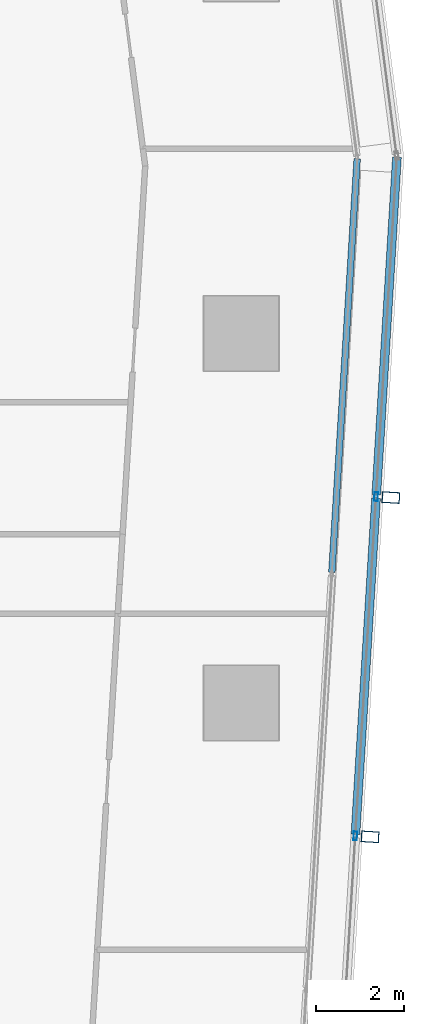
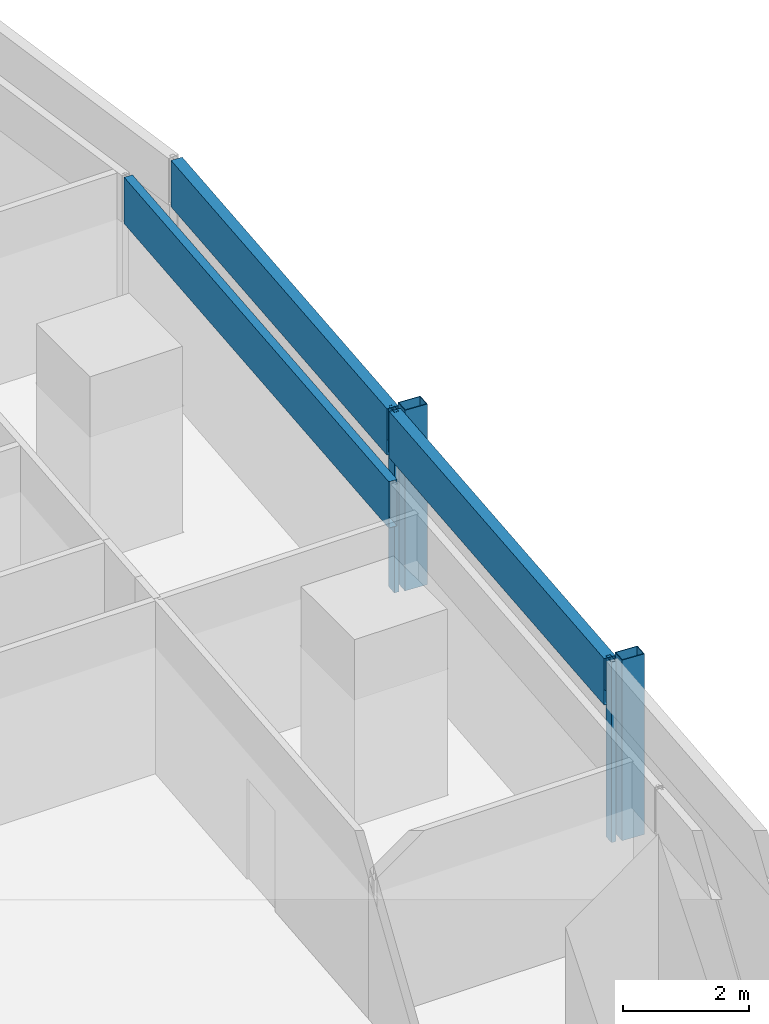
# One storey, part 23 of 38: 7 members, 2 elements without a shape of their own.
"""IFC4 building model written with IfcOpenShell, lengths in metres."""

from ifc_helpers import new_model, si_unit, direction, frame, origin, origin_2d, place, context, subcontext, project, spatial, hollow_rectangle, extrude, material, material_profile, profile_set, type_object, element, aggregate, save


model = new_model("IFC4")

# Units and contexts
model_context = context("Model", 3, precision=1e-05, world=origin(), true_north=direction((0.0, 1.0)))
body_context = subcontext(model_context, "Body", "Model", "MODEL_VIEW")
ifc_project = project(units=[si_unit("LENGTHUNIT", "METRE"), si_unit("AREAUNIT", "SQUARE_METRE"), si_unit("VOLUMEUNIT", "CUBIC_METRE"), si_unit("PLANEANGLEUNIT", "RADIAN"), si_unit("MASSUNIT", "GRAM", prefix="KILO")], contexts=[model_context])

# Site, building, storey
site_placement = place(None, origin())
site = spatial("IfcSite", under=ifc_project, at=site_placement, CompositionType="ELEMENT")
building_placement = place(site_placement, origin())
building = spatial("IfcBuilding", under=site, at=building_placement, Name="Rekha Terrace Tower", CompositionType="ELEMENT")
storey_placement = place(building_placement, frame((0.0, 0.0, 114.050048828125)))
storey = spatial("IfcBuildingStorey", under=building, at=storey_placement, Name="L28", CompositionType="ELEMENT", Elevation=114.050048828125)

# Curtain wall, members
ifc_material_1 = material(Name="Aluminium framing", Category="aluminium")
curtain_wall_type_1 = type_object("IfcCurtainWallType", Name="CW2 double skin outer glazing", PredefinedType="USERDEFINED", material=ifc_material_1)
curtain_wall_1_placement = place(storey_placement, origin())
curtain_wall_1 = element("IfcCurtainWall", 1, at=curtain_wall_1_placement, inside=storey, type_object=curtain_wall_type_1, Name="CW2 double skin outer glazing", ObjectType="DOUBLE SKIN OUTER GLAZING", PredefinedType="USERDEFINED")
ifc_material_2 = material(Name="Steel S355 with fluorocarbon finish", Category="steel")
ifc_material_profile_1 = material_profile(ifc_material_2, hollow_rectangle(XDim=0.25, YDim=0.39990234375, WallThickness=0.012451171875, at=origin_2d()), Name="RHS400x250x12.5")
ifc_profile_set_1 = profile_set([ifc_material_profile_1], Name="Steel S355 with fluorocarbon finish")
member_type_1 = type_object("IfcMemberType", Name="BL1 facade blade RHS 400 x 250", PredefinedType="USERDEFINED", material=ifc_profile_set_1)
member_1_placement = place(storey_placement, frame((70.128662109375, 30.557861328125, 0.0), z_axis=(0.0, 0.0, 1.0), x_axis=(0.061160031881, 0.998127973008, 0.0)))
member_1 = element("IfcMember", 2, at=member_1_placement, type_object=member_type_1, Name="Facade blade", ObjectType="FACADE BLADE", PredefinedType="USERDEFINED", context=body_context, shape_type="SweptSolid", body=[
    extrude(hollow_rectangle(XDim=0.25, YDim=0.39990234375, WallThickness=0.012451171875, at=origin_2d()), origin(), (0.0, 0.0, 1.0), 3.5),
])
member_2_placement = place(storey_placement, frame((70.601318359375, 38.27001953125, 0.0), z_axis=(0.0, 0.0, 1.0), x_axis=(0.061160031881, 0.998127973008, 0.0)))
member_2 = element("IfcMember", 3, at=member_2_placement, type_object=member_type_1, Name="Facade blade", ObjectType="FACADE BLADE", PredefinedType="USERDEFINED", context=body_context, shape_type="SweptSolid", body=[
    extrude(hollow_rectangle(XDim=0.25, YDim=0.39990234375, WallThickness=0.012451171875, at=origin_2d()), origin(), (0.0, 0.0, 1.0), 3.5),
])

# Curtain wall, member
curtain_wall_type_2 = type_object("IfcCurtainWallType", Name="CW1 double skin inner glazing", PredefinedType="USERDEFINED", material=ifc_material_1)
curtain_wall_2_placement = place(storey_placement, origin())
curtain_wall_2 = element("IfcCurtainWall", 4, at=curtain_wall_2_placement, inside=storey, type_object=curtain_wall_type_2, Name="CW1 double skin inner glazing", ObjectType="DOUBLE SKIN INNER GLAZING", PredefinedType="USERDEFINED")
ifc_material_3 = material(Name="Insulated aluminium spandrel box", Category="aluminium")
ifc_material_profile_2 = material_profile(ifc_material_3, hollow_rectangle(XDim=0.14990234375, YDim=0.89990234375, WallThickness=0.0029296875, at=origin_2d()), Name="AL SPANDREL BOX 150x900")
ifc_profile_set_2 = profile_set([ifc_material_profile_2], Name="Insulated aluminium spandrel box")
member_type_2 = type_object("IfcMemberType", Name="CW1 spandrel transom 150 x 900", PredefinedType="USERDEFINED", material=ifc_profile_set_2)
member_3_placement = place(storey_placement, frame((69.259765625, 36.569091796875, 3.050048828125), z_axis=(0.061137463969, 0.998129355594, 0.0), x_axis=(-0.998129355594, 0.061137463969, 0.0)))
member_3 = element("IfcMember", 5, at=member_3_placement, type_object=member_type_2, Name="CW1 spandrel transom 3", ObjectType="TRANSOM", PredefinedType="USERDEFINED", context=body_context, shape_type="SweptSolid", body=[
    extrude(hollow_rectangle(XDim=0.14990234375, YDim=0.89990234375, WallThickness=0.0029296875, at=origin_2d()), origin(), (0.0, 0.0, 1.0), 9.420166015625),
])
aggregate(curtain_wall_2, [member_3])

# Member
ifc_material_4 = material(Name="Aluminium mullion section", Category="aluminium")
ifc_material_profile_3 = material_profile(ifc_material_4, hollow_rectangle(XDim=0.080078125, YDim=0.199951171875, WallThickness=0.00390625, at=origin_2d()), Name="AL RHS 80x200")
ifc_profile_set_3 = profile_set([ifc_material_profile_3], Name="Aluminium mullion section")
member_type_3 = type_object("IfcMemberType", Name="CW2 mullion RHS 80 x 200", PredefinedType="MULLION", material=ifc_profile_set_3)
member_4_placement = place(storey_placement, frame((69.794189453125, 30.578369140625, 0.0), z_axis=(0.0, 0.0, 1.0), x_axis=(-0.998127987024, 0.061159803131, 0.0)))
member_4 = element("IfcMember", 6, at=member_4_placement, type_object=member_type_3, Name="CW2 mullion 3", PredefinedType="MULLION", context=body_context, shape_type="SweptSolid", body=[
    extrude(hollow_rectangle(XDim=0.080078125, YDim=0.199951171875, WallThickness=0.00390625, at=origin_2d()), origin(), (0.0, 0.0, 1.0), 3.5),
])

member_5_placement = place(storey_placement, frame((70.266845703125, 38.29052734375, 0.0), z_axis=(0.0, 0.0, 1.0), x_axis=(-0.998127987024, 0.061159803131, 0.0)))
member_5 = element("IfcMember", 7, at=member_5_placement, type_object=member_type_3, Name="CW2 mullion 4", PredefinedType="MULLION", context=body_context, shape_type="SweptSolid", body=[
    extrude(hollow_rectangle(XDim=0.080078125, YDim=0.199951171875, WallThickness=0.00390625, at=origin_2d()), origin(), (0.0, 0.0, 1.0), 3.5),
])

ifc_material_profile_4 = material_profile(ifc_material_3, hollow_rectangle(XDim=0.199951171875, YDim=0.89990234375, WallThickness=0.0029296875, at=origin_2d()), Name="AL SPANDREL BOX 200x900")
ifc_profile_set_4 = profile_set([ifc_material_profile_4], Name="Insulated aluminium spandrel box")
member_type_4 = type_object("IfcMemberType", Name="CW2 spandrel transom 200 x 900", PredefinedType="USERDEFINED", material=ifc_profile_set_4)
member_6_placement = place(storey_placement, frame((69.796630859375, 30.618408203125, 3.050048828125), z_axis=(0.061175629852, 0.998127017124, 0.0), x_axis=(-0.998127017124, 0.061175629852, 0.0)))
member_6 = element("IfcMember", 8, at=member_6_placement, type_object=member_type_4, Name="CW2 spandrel transom 3", ObjectType="TRANSOM", PredefinedType="USERDEFINED", context=body_context, shape_type="SweptSolid", body=[
    extrude(hollow_rectangle(XDim=0.199951171875, YDim=0.89990234375, WallThickness=0.0029296875, at=origin_2d()), origin(), (0.0, 0.0, 1.0), 7.646484375),
])

member_7_placement = place(storey_placement, frame((70.269287109375, 38.330322265625, 3.050048828125), z_axis=(0.061142352683, 0.998129056139, 0.0), x_axis=(-0.998129056139, 0.061142352683, 0.0)))
member_7 = element("IfcMember", 9, at=member_7_placement, type_object=member_type_4, Name="CW2 spandrel transom 4", ObjectType="TRANSOM", PredefinedType="USERDEFINED", context=body_context, shape_type="SweptSolid", body=[
    extrude(hollow_rectangle(XDim=0.199951171875, YDim=0.89990234375, WallThickness=0.0029296875, at=origin_2d()), origin(), (0.0, 0.0, 1.0), 7.6865234375),
])

aggregate(curtain_wall_1, [member_4, member_5, member_6, member_7, member_1, member_2])

save(model, "model.ifc")
